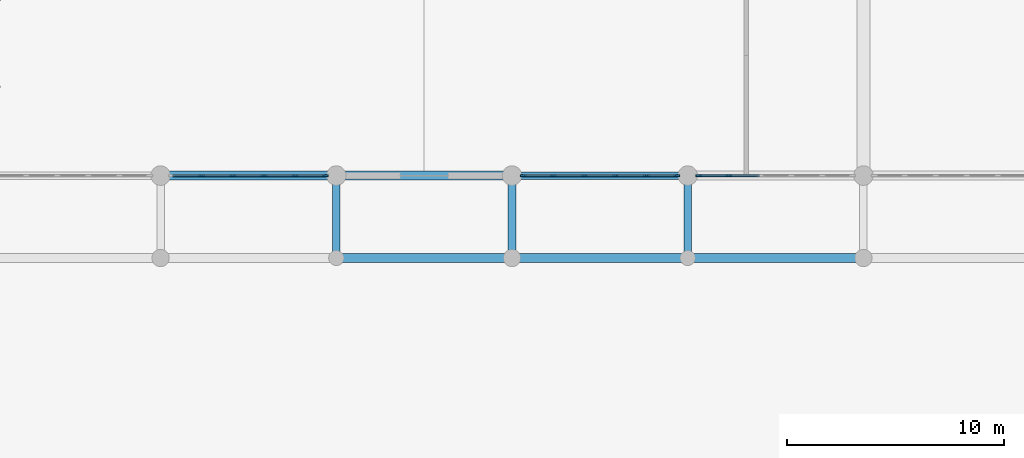
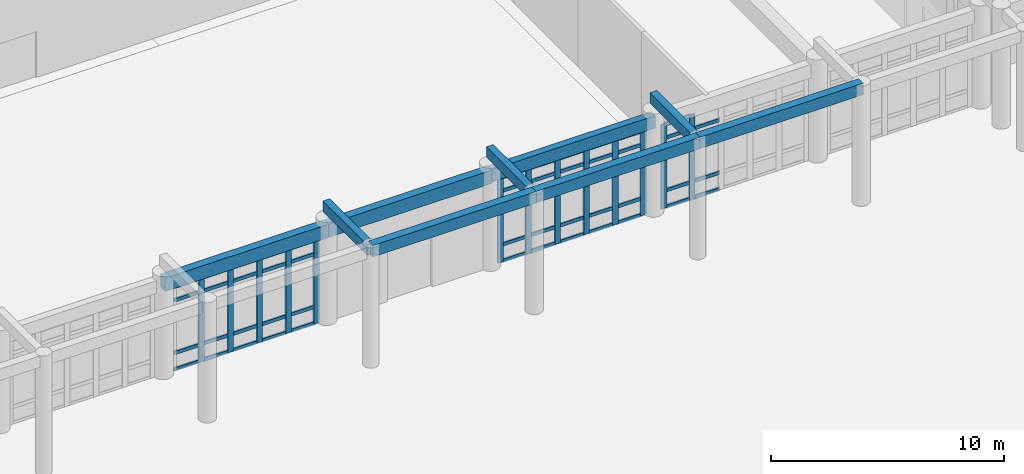
# One storey, part 8 of 62: 60 members, 9 beams, 3 elements without a shape of their own.
"""IFC4 building model written with IfcOpenShell, lengths in metres."""

from ifc_helpers import new_model, si_unit, direction, frame, origin, origin_2d, place, context, subcontext, project, spatial, rectangle, extrude, material, material_profile, profile_set, type_object, element, aggregate, save


model = new_model("IFC4")

# Units and contexts
model_context = context("Model", 3, precision=1e-05, world=origin(), true_north=direction((0.0, 1.0)))
body_context = subcontext(model_context, "Body", "Model", "MODEL_VIEW")
ifc_project = project(units=[si_unit("LENGTHUNIT", "METRE"), si_unit("AREAUNIT", "SQUARE_METRE"), si_unit("VOLUMEUNIT", "CUBIC_METRE"), si_unit("PLANEANGLEUNIT", "RADIAN"), si_unit("MASSUNIT", "GRAM", prefix="KILO")], contexts=[model_context])

# Site, building, storey
site_placement = place(None, origin())
site = spatial("IfcSite", under=ifc_project, at=site_placement, CompositionType="ELEMENT")
building_placement = place(site_placement, origin())
building = spatial("IfcBuilding", under=site, at=building_placement, Name="Tarnveldt Square Police Headquarters", CompositionType="ELEMENT")
storey_placement = place(building_placement, origin())
storey = spatial("IfcBuildingStorey", under=building, at=storey_placement, Name="L00", CompositionType="ELEMENT", Elevation=0.0)

# Beams
ifc_material_1 = material(Name="Concrete 40 MPa", Category="concrete")
ifc_material_profile_1 = material_profile(ifc_material_1, rectangle(XDim=0.35009765625, YDim=0.550048828125, at=origin_2d()), Name="RC-B350x550")
ifc_profile_set_1 = profile_set([ifc_material_profile_1], Name="Concrete 40 MPa")
beam_type_1 = type_object("IfcBeamType", Name="BM-RC350x550", PredefinedType="BEAM", material=ifc_profile_set_1)
for number, where, z_axis, x_axis, name in (
    (1, (89.10009765625, 18.199951171875, 6.0), (0.0, 1.0, 0.0), (-1.0, 0.0, 0.0), "Colonnade Tie Beam MH-11"),
    (2, (97.199951171875, 18.199951171875, 6.0), (0.0, 1.0, 0.0), (-1.0, 0.0, 0.0), "Colonnade Tie Beam MH-12"),
    (3, (105.300048828125, 18.199951171875, 6.0), (0.0, 1.0, 0.0), (-1.0, 0.0, 0.0), "Colonnade Tie Beam MH-13"),
):
    element("IfcBeam", number, at=place(storey_placement, frame(where, z_axis=z_axis, x_axis=x_axis)), inside=storey, type_object=beam_type_1, Name=name, PredefinedType="BEAM", context=body_context, shape_type="SweptSolid", body=[
        extrude(rectangle(XDim=0.35009765625, YDim=0.550048828125, at=origin_2d()), origin(), (0.0, 0.0, 1.0), 3.800048828125),
    ])
ifc_material_profile_2 = material_profile(ifc_material_1, rectangle(XDim=0.39990234375, YDim=0.60009765625, at=origin_2d()), Name="RC-B400x600")
ifc_profile_set_2 = profile_set([ifc_material_profile_2], Name="Concrete 40 MPa")
beam_type_2 = type_object("IfcBeamType", Name="BM-RC400x600", PredefinedType="BEAM", material=ifc_profile_set_2)
beam_1_placement = place(storey_placement, frame((89.10009765625, 18.199951171875, 6.0), z_axis=(1.0, 0.0, 0.0), x_axis=(0.0, 1.0, 0.0)))
element("IfcBeam", 4, at=beam_1_placement, inside=storey, type_object=beam_type_2, Name="Colonnade Header Beam MH-11", PredefinedType="BEAM", context=body_context, shape_type="SweptSolid", body=[
    extrude(rectangle(XDim=0.39990234375, YDim=0.60009765625, at=origin_2d()), origin(), (0.0, 0.0, 1.0), 8.099853515625),
])
beam_2_placement = place(storey_placement, frame((97.199951171875, 18.199951171875, 6.0), z_axis=(1.0, 0.0, 0.0), x_axis=(0.0, 1.0, 0.0)))
element("IfcBeam", 5, at=beam_2_placement, inside=storey, type_object=beam_type_2, Name="Colonnade Header Beam MH-12", PredefinedType="BEAM", context=body_context, shape_type="SweptSolid", body=[
    extrude(rectangle(XDim=0.39990234375, YDim=0.60009765625, at=origin_2d()), origin(), (0.0, 0.0, 1.0), 8.10009765625),
])
beam_3_placement = place(storey_placement, frame((105.300048828125, 18.199951171875, 6.0), z_axis=(1.0, 0.0, 0.0), x_axis=(0.0, 1.0, 0.0)))
element("IfcBeam", 6, at=beam_3_placement, inside=storey, type_object=beam_type_2, Name="Colonnade Header Beam MH-13", PredefinedType="BEAM", context=body_context, shape_type="SweptSolid", body=[
    extrude(rectangle(XDim=0.39990234375, YDim=0.60009765625, at=origin_2d()), origin(), (0.0, 0.0, 1.0), 8.099853515625),
])
ifc_material_profile_3 = material_profile(ifc_material_1, rectangle(XDim=0.39990234375, YDim=0.699951171875, at=origin_2d()), Name="RC-B400x700")
ifc_profile_set_3 = profile_set([ifc_material_profile_3], Name="Concrete 40 MPa")
beam_type_3 = type_object("IfcBeamType", Name="BM-RC400x700", PredefinedType="BEAM", material=ifc_profile_set_3)
beam_4_placement = place(storey_placement, frame((81.0, 22.0, 4.77001953125), z_axis=(1.0, 0.0, 0.0), x_axis=(0.0, 1.0, 0.0)))
element("IfcBeam", 7, at=beam_4_placement, inside=storey, type_object=beam_type_3, Name="L01 Grid Girder X-0239", PredefinedType="BEAM", context=body_context, shape_type="SweptSolid", body=[
    extrude(rectangle(XDim=0.39990234375, YDim=0.699951171875, at=origin_2d()), origin(), (0.0, 0.0, 1.0), 8.10009765625),
])
beam_5_placement = place(storey_placement, frame((89.10009765625, 22.0, 4.77001953125), z_axis=(1.0, 0.0, 0.0), x_axis=(0.0, 1.0, 0.0)))
element("IfcBeam", 8, at=beam_5_placement, inside=storey, type_object=beam_type_3, Name="L01 Grid Girder X-0240", PredefinedType="BEAM", context=body_context, shape_type="SweptSolid", body=[
    extrude(rectangle(XDim=0.39990234375, YDim=0.699951171875, at=origin_2d()), origin(), (0.0, 0.0, 1.0), 8.099853515625),
])
ifc_material_profile_4 = material_profile(ifc_material_1, rectangle(XDim=0.35009765625, YDim=0.64990234375, at=origin_2d()), Name="RC-SP350x650")
ifc_profile_set_4 = profile_set([ifc_material_profile_4], Name="Concrete 40 MPa")
beam_type_4 = type_object("IfcBeamType", Name="BM-SP350x650", PredefinedType="SPANDREL", material=ifc_profile_set_4)
beam_6_placement = place(storey_placement, frame((97.199951171875, 22.0, 4.794921875), z_axis=(1.0, 0.0, 0.0), x_axis=(0.0, 1.0, 0.0)))
element("IfcBeam", 9, at=beam_6_placement, inside=storey, type_object=beam_type_4, Name="L01 Grid Girder X-0241", PredefinedType="SPANDREL", context=body_context, shape_type="SweptSolid", body=[
    extrude(rectangle(XDim=0.35009765625, YDim=0.64990234375, at=origin_2d()), origin(), (0.0, 0.0, 1.0), 8.10009765625),
])

# Curtain wall, members
ifc_material_2 = material(Name="Triple-glazed low-e laminated vision glass", Category="glass")
curtain_wall_type_1 = type_object("IfcCurtainWallType", Name="CW-EH-717x441", PredefinedType="USERDEFINED", material=ifc_material_2)
curtain_wall_1_placement = place(storey_placement, origin())
curtain_wall_1 = element("IfcCurtainWall", 10, at=curtain_wall_1_placement, inside=storey, type_object=curtain_wall_type_1, Name="L00 Curtain Wall CW-L00-003", ObjectType="GLAZED CURTAIN WALL", PredefinedType="USERDEFINED")
ifc_material_3 = material(Name="Thermally broken anodised aluminium 6063-T6", Category="aluminium")
ifc_material_profile_5 = material_profile(ifc_material_3, rectangle(XDim=0.090087890625, YDim=0.280029296875, at=origin_2d()), Name="CW-M90x280")
ifc_profile_set_5 = profile_set([ifc_material_profile_5], Name="Thermally broken anodised aluminium 6063-T6")
member_type_1 = type_object("IfcMemberType", Name="CWM-90x280", PredefinedType="MULLION", material=ifc_profile_set_5)
member_1_placement = place(storey_placement, frame((82.89892578125, 22.0, 0.0), z_axis=(0.0, 0.0, 1.0), x_axis=(0.0, 1.0, 0.0)))
member_1 = element("IfcMember", 11, at=member_1_placement, type_object=member_type_1, Name="CW-EH03 mullion 2", PredefinedType="MULLION", context=body_context, shape_type="SweptSolid", body=[
    extrude(rectangle(XDim=0.090087890625, YDim=0.280029296875, at=origin_2d()), origin(), (0.0, 0.0, 1.0), 4.412109375),
])
member_2_placement = place(storey_placement, frame((84.3330078125, 22.0, 0.0), z_axis=(0.0, 0.0, 1.0), x_axis=(0.0, 1.0, 0.0)))
member_2 = element("IfcMember", 12, at=member_2_placement, type_object=member_type_1, Name="CW-EH03 mullion 3", PredefinedType="MULLION", context=body_context, shape_type="SweptSolid", body=[
    extrude(rectangle(XDim=0.090087890625, YDim=0.280029296875, at=origin_2d()), origin(), (0.0, 0.0, 1.0), 4.412109375),
])
member_3_placement = place(storey_placement, frame((85.76708984375, 22.0, 0.0), z_axis=(0.0, 0.0, 1.0), x_axis=(0.0, 1.0, 0.0)))
member_3 = element("IfcMember", 13, at=member_3_placement, type_object=member_type_1, Name="CW-EH03 mullion 4", PredefinedType="MULLION", context=body_context, shape_type="SweptSolid", body=[
    extrude(rectangle(XDim=0.090087890625, YDim=0.280029296875, at=origin_2d()), origin(), (0.0, 0.0, 1.0), 4.412109375),
])
member_4_placement = place(storey_placement, frame((87.200927734375, 22.0, 0.0), z_axis=(0.0, 0.0, 1.0), x_axis=(0.0, 1.0, 0.0)))
member_4 = element("IfcMember", 14, at=member_4_placement, type_object=member_type_1, Name="CW-EH03 mullion 5", PredefinedType="MULLION", context=body_context, shape_type="SweptSolid", body=[
    extrude(rectangle(XDim=0.090087890625, YDim=0.280029296875, at=origin_2d()), origin(), (0.0, 0.0, 1.0), 4.412109375),
])
member_5_placement = place(storey_placement, frame((88.590087890625, 22.0, 0.0), z_axis=(0.0, 0.0, 1.0), x_axis=(0.0, 1.0, 0.0)))
member_5 = element("IfcMember", 15, at=member_5_placement, type_object=member_type_1, Name="CW-EH03 mullion 6", PredefinedType="MULLION", context=body_context, shape_type="SweptSolid", body=[
    extrude(rectangle(XDim=0.090087890625, YDim=0.280029296875, at=origin_2d()), origin(), (0.0, 0.0, 1.0), 4.412109375),
])

curtain_wall_type_2 = type_object("IfcCurtainWallType", Name="CW-EH-717x446", PredefinedType="USERDEFINED", material=ifc_material_2)
curtain_wall_2_placement = place(storey_placement, origin())
curtain_wall_2 = element("IfcCurtainWall", 16, at=curtain_wall_2_placement, inside=storey, type_object=curtain_wall_type_2, Name="L00 Curtain Wall CW-L00-004", ObjectType="GLAZED CURTAIN WALL", PredefinedType="USERDEFINED")
member_6_placement = place(storey_placement, frame((97.7099609375, 22.0, 0.0), z_axis=(0.0, 0.0, 1.0), x_axis=(0.0, 1.0, 0.0)))
member_6 = element("IfcMember", 17, at=member_6_placement, type_object=member_type_1, Name="CW-EH02 mullion 1", PredefinedType="MULLION", context=body_context, shape_type="SweptSolid", body=[
    extrude(rectangle(XDim=0.090087890625, YDim=0.280029296875, at=origin_2d()), origin(), (0.0, 0.0, 1.0), 4.4619140625),
])
member_7_placement = place(storey_placement, frame((99.09912109375, 22.0, 0.0), z_axis=(0.0, 0.0, 1.0), x_axis=(0.0, 1.0, 0.0)))
member_7 = element("IfcMember", 18, at=member_7_placement, type_object=member_type_1, Name="CW-EH02 mullion 2", PredefinedType="MULLION", context=body_context, shape_type="SweptSolid", body=[
    extrude(rectangle(XDim=0.090087890625, YDim=0.280029296875, at=origin_2d()), origin(), (0.0, 0.0, 1.0), 4.4619140625),
])
member_8_placement = place(storey_placement, frame((100.532958984375, 22.0, 0.0), z_axis=(0.0, 0.0, 1.0), x_axis=(0.0, 1.0, 0.0)))
member_8 = element("IfcMember", 19, at=member_8_placement, type_object=member_type_1, Name="CW-EH02 mullion 3", PredefinedType="MULLION", context=body_context, shape_type="SweptSolid", body=[
    extrude(rectangle(XDim=0.090087890625, YDim=0.280029296875, at=origin_2d()), origin(), (0.0, 0.0, 1.0), 4.4619140625),
])
member_9_placement = place(storey_placement, frame((101.967041015625, 22.0, 0.0), z_axis=(0.0, 0.0, 1.0), x_axis=(0.0, 1.0, 0.0)))
member_9 = element("IfcMember", 20, at=member_9_placement, type_object=member_type_1, Name="CW-EH02 mullion 4", PredefinedType="MULLION", context=body_context, shape_type="SweptSolid", body=[
    extrude(rectangle(XDim=0.090087890625, YDim=0.280029296875, at=origin_2d()), origin(), (0.0, 0.0, 1.0), 4.4619140625),
])
member_10_placement = place(storey_placement, frame((103.40087890625, 22.0, 0.0), z_axis=(0.0, 0.0, 1.0), x_axis=(0.0, 1.0, 0.0)))
member_10 = element("IfcMember", 21, at=member_10_placement, type_object=member_type_1, Name="CW-EH02 mullion 5", PredefinedType="MULLION", context=body_context, shape_type="SweptSolid", body=[
    extrude(rectangle(XDim=0.090087890625, YDim=0.280029296875, at=origin_2d()), origin(), (0.0, 0.0, 1.0), 4.4619140625),
])
member_11_placement = place(storey_placement, frame((104.7900390625, 22.0, 0.0), z_axis=(0.0, 0.0, 1.0), x_axis=(0.0, 1.0, 0.0)))
member_11 = element("IfcMember", 22, at=member_11_placement, type_object=member_type_1, Name="CW-EH02 mullion 6", PredefinedType="MULLION", context=body_context, shape_type="SweptSolid", body=[
    extrude(rectangle(XDim=0.090087890625, YDim=0.280029296875, at=origin_2d()), origin(), (0.0, 0.0, 1.0), 4.4619140625),
])

curtain_wall_3_placement = place(storey_placement, origin())
curtain_wall_3 = element("IfcCurtainWall", 23, at=curtain_wall_3_placement, inside=storey, type_object=curtain_wall_type_1, Name="L00 Curtain Wall CW-L00-005", ObjectType="GLAZED CURTAIN WALL", PredefinedType="USERDEFINED")
member_12_placement = place(storey_placement, frame((105.81005859375, 22.0, 0.0), z_axis=(0.0, 0.0, 1.0), x_axis=(0.0, 1.0, 0.0)))
member_12 = element("IfcMember", 24, at=member_12_placement, type_object=member_type_1, Name="CW-EH03 mullion 1", PredefinedType="MULLION", context=body_context, shape_type="SweptSolid", body=[
    extrude(rectangle(XDim=0.090087890625, YDim=0.280029296875, at=origin_2d()), origin(), (0.0, 0.0, 1.0), 4.412109375),
])
member_13_placement = place(storey_placement, frame((107.198974609375, 22.0, 0.0), z_axis=(0.0, 0.0, 1.0), x_axis=(0.0, 1.0, 0.0)))
member_13 = element("IfcMember", 25, at=member_13_placement, type_object=member_type_1, Name="CW-EH03 mullion 2", PredefinedType="MULLION", context=body_context, shape_type="SweptSolid", body=[
    extrude(rectangle(XDim=0.090087890625, YDim=0.280029296875, at=origin_2d()), origin(), (0.0, 0.0, 1.0), 4.412109375),
])

# Member
ifc_material_profile_6 = material_profile(ifc_material_3, rectangle(XDim=0.0849609375, YDim=0.179931640625, at=origin_2d()), Name="CW-T85x180")
ifc_profile_set_6 = profile_set([ifc_material_profile_6], Name="Thermally broken anodised aluminium 6063-T6")
member_type_2 = type_object("IfcMemberType", Name="CWT-85x180", PredefinedType="USERDEFINED", material=ifc_profile_set_6)
member_14_placement = place(storey_placement, frame((81.554931640625, 22.0, 0.04248046875), z_axis=(1.0, 0.0, 0.0), x_axis=(0.0, 1.0, 0.0)))
member_14 = element("IfcMember", 26, at=member_14_placement, type_object=member_type_2, Name="CW-EH03 transom 1.1", ObjectType="TRANSOM", PredefinedType="USERDEFINED", context=body_context, shape_type="SweptSolid", body=[
    extrude(rectangle(XDim=0.0849609375, YDim=0.179931640625, at=origin_2d()), origin(), (0.0, 0.0, 1.0), 1.299072265625),
])

member_15_placement = place(storey_placement, frame((81.554931640625, 22.0, 0.89990234375), z_axis=(1.0, 0.0, 0.0), x_axis=(0.0, 1.0, 0.0)))
member_15 = element("IfcMember", 27, at=member_15_placement, type_object=member_type_2, Name="CW-EH03 transom 1.2", ObjectType="TRANSOM", PredefinedType="USERDEFINED", context=body_context, shape_type="SweptSolid", body=[
    extrude(rectangle(XDim=0.0849609375, YDim=0.179931640625, at=origin_2d()), origin(), (0.0, 0.0, 1.0), 1.299072265625),
])

member_16_placement = place(storey_placement, frame((81.554931640625, 22.0, 3.662109375), z_axis=(1.0, 0.0, 0.0), x_axis=(0.0, 1.0, 0.0)))
member_16 = element("IfcMember", 28, at=member_16_placement, type_object=member_type_2, Name="CW-EH03 transom 1.3", ObjectType="TRANSOM", PredefinedType="USERDEFINED", context=body_context, shape_type="SweptSolid", body=[
    extrude(rectangle(XDim=0.0849609375, YDim=0.179931640625, at=origin_2d()), origin(), (0.0, 0.0, 1.0), 1.299072265625),
])

member_17_placement = place(storey_placement, frame((81.554931640625, 22.0, 4.369384765625), z_axis=(1.0, 0.0, 0.0), x_axis=(0.0, 1.0, 0.0)))
member_17 = element("IfcMember", 29, at=member_17_placement, type_object=member_type_2, Name="CW-EH03 transom 1.4", ObjectType="TRANSOM", PredefinedType="USERDEFINED", context=body_context, shape_type="SweptSolid", body=[
    extrude(rectangle(XDim=0.0849609375, YDim=0.179931640625, at=origin_2d()), origin(), (0.0, 0.0, 1.0), 1.299072265625),
])

member_18_placement = place(storey_placement, frame((82.944091796875, 22.0, 0.04248046875), z_axis=(1.0, 0.0, 0.0), x_axis=(0.0, 1.0, 0.0)))
member_18 = element("IfcMember", 30, at=member_18_placement, type_object=member_type_2, Name="CW-EH03 transom 2.1", ObjectType="TRANSOM", PredefinedType="USERDEFINED", context=body_context, shape_type="SweptSolid", body=[
    extrude(rectangle(XDim=0.0849609375, YDim=0.179931640625, at=origin_2d()), origin(), (0.0, 0.0, 1.0), 1.343994140625),
])

member_19_placement = place(storey_placement, frame((82.944091796875, 22.0, 0.89990234375), z_axis=(1.0, 0.0, 0.0), x_axis=(0.0, 1.0, 0.0)))
member_19 = element("IfcMember", 31, at=member_19_placement, type_object=member_type_2, Name="CW-EH03 transom 2.2", ObjectType="TRANSOM", PredefinedType="USERDEFINED", context=body_context, shape_type="SweptSolid", body=[
    extrude(rectangle(XDim=0.0849609375, YDim=0.179931640625, at=origin_2d()), origin(), (0.0, 0.0, 1.0), 1.343994140625),
])

member_20_placement = place(storey_placement, frame((82.944091796875, 22.0, 3.662109375), z_axis=(1.0, 0.0, 0.0), x_axis=(0.0, 1.0, 0.0)))
member_20 = element("IfcMember", 32, at=member_20_placement, type_object=member_type_2, Name="CW-EH03 transom 2.3", ObjectType="TRANSOM", PredefinedType="USERDEFINED", context=body_context, shape_type="SweptSolid", body=[
    extrude(rectangle(XDim=0.0849609375, YDim=0.179931640625, at=origin_2d()), origin(), (0.0, 0.0, 1.0), 1.343994140625),
])

member_21_placement = place(storey_placement, frame((82.944091796875, 22.0, 4.369384765625), z_axis=(1.0, 0.0, 0.0), x_axis=(0.0, 1.0, 0.0)))
member_21 = element("IfcMember", 33, at=member_21_placement, type_object=member_type_2, Name="CW-EH03 transom 2.4", ObjectType="TRANSOM", PredefinedType="USERDEFINED", context=body_context, shape_type="SweptSolid", body=[
    extrude(rectangle(XDim=0.0849609375, YDim=0.179931640625, at=origin_2d()), origin(), (0.0, 0.0, 1.0), 1.343994140625),
])

member_22_placement = place(storey_placement, frame((84.3779296875, 22.0, 0.04248046875), z_axis=(1.0, 0.0, 0.0), x_axis=(0.0, 1.0, 0.0)))
member_22 = element("IfcMember", 34, at=member_22_placement, type_object=member_type_2, Name="CW-EH03 transom 3.1", ObjectType="TRANSOM", PredefinedType="USERDEFINED", context=body_context, shape_type="SweptSolid", body=[
    extrude(rectangle(XDim=0.0849609375, YDim=0.179931640625, at=origin_2d()), origin(), (0.0, 0.0, 1.0), 1.343994140625),
])

member_23_placement = place(storey_placement, frame((84.3779296875, 22.0, 0.89990234375), z_axis=(1.0, 0.0, 0.0), x_axis=(0.0, 1.0, 0.0)))
member_23 = element("IfcMember", 35, at=member_23_placement, type_object=member_type_2, Name="CW-EH03 transom 3.2", ObjectType="TRANSOM", PredefinedType="USERDEFINED", context=body_context, shape_type="SweptSolid", body=[
    extrude(rectangle(XDim=0.0849609375, YDim=0.179931640625, at=origin_2d()), origin(), (0.0, 0.0, 1.0), 1.343994140625),
])

member_24_placement = place(storey_placement, frame((84.3779296875, 22.0, 3.662109375), z_axis=(1.0, 0.0, 0.0), x_axis=(0.0, 1.0, 0.0)))
member_24 = element("IfcMember", 36, at=member_24_placement, type_object=member_type_2, Name="CW-EH03 transom 3.3", ObjectType="TRANSOM", PredefinedType="USERDEFINED", context=body_context, shape_type="SweptSolid", body=[
    extrude(rectangle(XDim=0.0849609375, YDim=0.179931640625, at=origin_2d()), origin(), (0.0, 0.0, 1.0), 1.343994140625),
])

member_25_placement = place(storey_placement, frame((84.3779296875, 22.0, 4.369384765625), z_axis=(1.0, 0.0, 0.0), x_axis=(0.0, 1.0, 0.0)))
member_25 = element("IfcMember", 37, at=member_25_placement, type_object=member_type_2, Name="CW-EH03 transom 3.4", ObjectType="TRANSOM", PredefinedType="USERDEFINED", context=body_context, shape_type="SweptSolid", body=[
    extrude(rectangle(XDim=0.0849609375, YDim=0.179931640625, at=origin_2d()), origin(), (0.0, 0.0, 1.0), 1.343994140625),
])

member_26_placement = place(storey_placement, frame((85.81201171875, 22.0, 0.04248046875), z_axis=(1.0, 0.0, 0.0), x_axis=(0.0, 1.0, 0.0)))
member_26 = element("IfcMember", 38, at=member_26_placement, type_object=member_type_2, Name="CW-EH03 transom 4.1", ObjectType="TRANSOM", PredefinedType="USERDEFINED", context=body_context, shape_type="SweptSolid", body=[
    extrude(rectangle(XDim=0.0849609375, YDim=0.179931640625, at=origin_2d()), origin(), (0.0, 0.0, 1.0), 1.343994140625),
])

member_27_placement = place(storey_placement, frame((85.81201171875, 22.0, 0.89990234375), z_axis=(1.0, 0.0, 0.0), x_axis=(0.0, 1.0, 0.0)))
member_27 = element("IfcMember", 39, at=member_27_placement, type_object=member_type_2, Name="CW-EH03 transom 4.2", ObjectType="TRANSOM", PredefinedType="USERDEFINED", context=body_context, shape_type="SweptSolid", body=[
    extrude(rectangle(XDim=0.0849609375, YDim=0.179931640625, at=origin_2d()), origin(), (0.0, 0.0, 1.0), 1.343994140625),
])

member_28_placement = place(storey_placement, frame((85.81201171875, 22.0, 3.662109375), z_axis=(1.0, 0.0, 0.0), x_axis=(0.0, 1.0, 0.0)))
member_28 = element("IfcMember", 40, at=member_28_placement, type_object=member_type_2, Name="CW-EH03 transom 4.3", ObjectType="TRANSOM", PredefinedType="USERDEFINED", context=body_context, shape_type="SweptSolid", body=[
    extrude(rectangle(XDim=0.0849609375, YDim=0.179931640625, at=origin_2d()), origin(), (0.0, 0.0, 1.0), 1.343994140625),
])

member_29_placement = place(storey_placement, frame((85.81201171875, 22.0, 4.369384765625), z_axis=(1.0, 0.0, 0.0), x_axis=(0.0, 1.0, 0.0)))
member_29 = element("IfcMember", 41, at=member_29_placement, type_object=member_type_2, Name="CW-EH03 transom 4.4", ObjectType="TRANSOM", PredefinedType="USERDEFINED", context=body_context, shape_type="SweptSolid", body=[
    extrude(rectangle(XDim=0.0849609375, YDim=0.179931640625, at=origin_2d()), origin(), (0.0, 0.0, 1.0), 1.343994140625),
])

member_30_placement = place(storey_placement, frame((87.24609375, 22.0, 0.04248046875), z_axis=(1.0, 0.0, 0.0), x_axis=(0.0, 1.0, 0.0)))
member_30 = element("IfcMember", 42, at=member_30_placement, type_object=member_type_2, Name="CW-EH03 transom 5.1", ObjectType="TRANSOM", PredefinedType="USERDEFINED", context=body_context, shape_type="SweptSolid", body=[
    extrude(rectangle(XDim=0.0849609375, YDim=0.179931640625, at=origin_2d()), origin(), (0.0, 0.0, 1.0), 1.298828125),
])

member_31_placement = place(storey_placement, frame((87.24609375, 22.0, 0.89990234375), z_axis=(1.0, 0.0, 0.0), x_axis=(0.0, 1.0, 0.0)))
member_31 = element("IfcMember", 43, at=member_31_placement, type_object=member_type_2, Name="CW-EH03 transom 5.2", ObjectType="TRANSOM", PredefinedType="USERDEFINED", context=body_context, shape_type="SweptSolid", body=[
    extrude(rectangle(XDim=0.0849609375, YDim=0.179931640625, at=origin_2d()), origin(), (0.0, 0.0, 1.0), 1.298828125),
])

member_32_placement = place(storey_placement, frame((87.24609375, 22.0, 3.662109375), z_axis=(1.0, 0.0, 0.0), x_axis=(0.0, 1.0, 0.0)))
member_32 = element("IfcMember", 44, at=member_32_placement, type_object=member_type_2, Name="CW-EH03 transom 5.3", ObjectType="TRANSOM", PredefinedType="USERDEFINED", context=body_context, shape_type="SweptSolid", body=[
    extrude(rectangle(XDim=0.0849609375, YDim=0.179931640625, at=origin_2d()), origin(), (0.0, 0.0, 1.0), 1.298828125),
])

member_33_placement = place(storey_placement, frame((87.24609375, 22.0, 4.369384765625), z_axis=(1.0, 0.0, 0.0), x_axis=(0.0, 1.0, 0.0)))
member_33 = element("IfcMember", 45, at=member_33_placement, type_object=member_type_2, Name="CW-EH03 transom 5.4", ObjectType="TRANSOM", PredefinedType="USERDEFINED", context=body_context, shape_type="SweptSolid", body=[
    extrude(rectangle(XDim=0.0849609375, YDim=0.179931640625, at=origin_2d()), origin(), (0.0, 0.0, 1.0), 1.298828125),
])

aggregate(curtain_wall_1, [member_1, member_2, member_3, member_4, member_5, member_14, member_15, member_16, member_17, member_18, member_19, member_20, member_21, member_22, member_23, member_24, member_25, member_26, member_27, member_28, member_29, member_30, member_31, member_32, member_33])

member_34_placement = place(storey_placement, frame((97.7548828125, 22.0, 0.04248046875), z_axis=(1.0, 0.0, 0.0), x_axis=(0.0, 1.0, 0.0)))
member_34 = element("IfcMember", 46, at=member_34_placement, type_object=member_type_2, Name="CW-EH02 transom 1.1", ObjectType="TRANSOM", PredefinedType="USERDEFINED", context=body_context, shape_type="SweptSolid", body=[
    extrude(rectangle(XDim=0.0849609375, YDim=0.179931640625, at=origin_2d()), origin(), (0.0, 0.0, 1.0), 1.299072265625),
])

member_35_placement = place(storey_placement, frame((97.7548828125, 22.0, 0.89990234375), z_axis=(1.0, 0.0, 0.0), x_axis=(0.0, 1.0, 0.0)))
member_35 = element("IfcMember", 47, at=member_35_placement, type_object=member_type_2, Name="CW-EH02 transom 1.2", ObjectType="TRANSOM", PredefinedType="USERDEFINED", context=body_context, shape_type="SweptSolid", body=[
    extrude(rectangle(XDim=0.0849609375, YDim=0.179931640625, at=origin_2d()), origin(), (0.0, 0.0, 1.0), 1.299072265625),
])

member_36_placement = place(storey_placement, frame((97.7548828125, 22.0, 3.7119140625), z_axis=(1.0, 0.0, 0.0), x_axis=(0.0, 1.0, 0.0)))
member_36 = element("IfcMember", 48, at=member_36_placement, type_object=member_type_2, Name="CW-EH02 transom 1.3", ObjectType="TRANSOM", PredefinedType="USERDEFINED", context=body_context, shape_type="SweptSolid", body=[
    extrude(rectangle(XDim=0.0849609375, YDim=0.179931640625, at=origin_2d()), origin(), (0.0, 0.0, 1.0), 1.299072265625),
])

member_37_placement = place(storey_placement, frame((97.7548828125, 22.0, 4.41943359375), z_axis=(1.0, 0.0, 0.0), x_axis=(0.0, 1.0, 0.0)))
member_37 = element("IfcMember", 49, at=member_37_placement, type_object=member_type_2, Name="CW-EH02 transom 1.4", ObjectType="TRANSOM", PredefinedType="USERDEFINED", context=body_context, shape_type="SweptSolid", body=[
    extrude(rectangle(XDim=0.0849609375, YDim=0.179931640625, at=origin_2d()), origin(), (0.0, 0.0, 1.0), 1.299072265625),
])

member_38_placement = place(storey_placement, frame((99.14404296875, 22.0, 0.04248046875), z_axis=(1.0, 0.0, 0.0), x_axis=(0.0, 1.0, 0.0)))
member_38 = element("IfcMember", 50, at=member_38_placement, type_object=member_type_2, Name="CW-EH02 transom 2.1", ObjectType="TRANSOM", PredefinedType="USERDEFINED", context=body_context, shape_type="SweptSolid", body=[
    extrude(rectangle(XDim=0.0849609375, YDim=0.179931640625, at=origin_2d()), origin(), (0.0, 0.0, 1.0), 1.343994140625),
])

member_39_placement = place(storey_placement, frame((99.14404296875, 22.0, 0.89990234375), z_axis=(1.0, 0.0, 0.0), x_axis=(0.0, 1.0, 0.0)))
member_39 = element("IfcMember", 51, at=member_39_placement, type_object=member_type_2, Name="CW-EH02 transom 2.2", ObjectType="TRANSOM", PredefinedType="USERDEFINED", context=body_context, shape_type="SweptSolid", body=[
    extrude(rectangle(XDim=0.0849609375, YDim=0.179931640625, at=origin_2d()), origin(), (0.0, 0.0, 1.0), 1.343994140625),
])

member_40_placement = place(storey_placement, frame((99.14404296875, 22.0, 3.7119140625), z_axis=(1.0, 0.0, 0.0), x_axis=(0.0, 1.0, 0.0)))
member_40 = element("IfcMember", 52, at=member_40_placement, type_object=member_type_2, Name="CW-EH02 transom 2.3", ObjectType="TRANSOM", PredefinedType="USERDEFINED", context=body_context, shape_type="SweptSolid", body=[
    extrude(rectangle(XDim=0.0849609375, YDim=0.179931640625, at=origin_2d()), origin(), (0.0, 0.0, 1.0), 1.343994140625),
])

member_41_placement = place(storey_placement, frame((99.14404296875, 22.0, 4.41943359375), z_axis=(1.0, 0.0, 0.0), x_axis=(0.0, 1.0, 0.0)))
member_41 = element("IfcMember", 53, at=member_41_placement, type_object=member_type_2, Name="CW-EH02 transom 2.4", ObjectType="TRANSOM", PredefinedType="USERDEFINED", context=body_context, shape_type="SweptSolid", body=[
    extrude(rectangle(XDim=0.0849609375, YDim=0.179931640625, at=origin_2d()), origin(), (0.0, 0.0, 1.0), 1.343994140625),
])

member_42_placement = place(storey_placement, frame((100.577880859375, 22.0, 0.04248046875), z_axis=(1.0, 0.0, 0.0), x_axis=(0.0, 1.0, 0.0)))
member_42 = element("IfcMember", 54, at=member_42_placement, type_object=member_type_2, Name="CW-EH02 transom 3.1", ObjectType="TRANSOM", PredefinedType="USERDEFINED", context=body_context, shape_type="SweptSolid", body=[
    extrude(rectangle(XDim=0.0849609375, YDim=0.179931640625, at=origin_2d()), origin(), (0.0, 0.0, 1.0), 1.34423828125),
])

member_43_placement = place(storey_placement, frame((100.577880859375, 22.0, 0.89990234375), z_axis=(1.0, 0.0, 0.0), x_axis=(0.0, 1.0, 0.0)))
member_43 = element("IfcMember", 55, at=member_43_placement, type_object=member_type_2, Name="CW-EH02 transom 3.2", ObjectType="TRANSOM", PredefinedType="USERDEFINED", context=body_context, shape_type="SweptSolid", body=[
    extrude(rectangle(XDim=0.0849609375, YDim=0.179931640625, at=origin_2d()), origin(), (0.0, 0.0, 1.0), 1.34423828125),
])

member_44_placement = place(storey_placement, frame((100.577880859375, 22.0, 3.7119140625), z_axis=(1.0, 0.0, 0.0), x_axis=(0.0, 1.0, 0.0)))
member_44 = element("IfcMember", 56, at=member_44_placement, type_object=member_type_2, Name="CW-EH02 transom 3.3", ObjectType="TRANSOM", PredefinedType="USERDEFINED", context=body_context, shape_type="SweptSolid", body=[
    extrude(rectangle(XDim=0.0849609375, YDim=0.179931640625, at=origin_2d()), origin(), (0.0, 0.0, 1.0), 1.34423828125),
])

member_45_placement = place(storey_placement, frame((100.577880859375, 22.0, 4.41943359375), z_axis=(1.0, 0.0, 0.0), x_axis=(0.0, 1.0, 0.0)))
member_45 = element("IfcMember", 57, at=member_45_placement, type_object=member_type_2, Name="CW-EH02 transom 3.4", ObjectType="TRANSOM", PredefinedType="USERDEFINED", context=body_context, shape_type="SweptSolid", body=[
    extrude(rectangle(XDim=0.0849609375, YDim=0.179931640625, at=origin_2d()), origin(), (0.0, 0.0, 1.0), 1.34423828125),
])

member_46_placement = place(storey_placement, frame((102.011962890625, 22.0, 0.04248046875), z_axis=(1.0, 0.0, 0.0), x_axis=(0.0, 1.0, 0.0)))
member_46 = element("IfcMember", 58, at=member_46_placement, type_object=member_type_2, Name="CW-EH02 transom 4.1", ObjectType="TRANSOM", PredefinedType="USERDEFINED", context=body_context, shape_type="SweptSolid", body=[
    extrude(rectangle(XDim=0.0849609375, YDim=0.179931640625, at=origin_2d()), origin(), (0.0, 0.0, 1.0), 1.343994140625),
])

member_47_placement = place(storey_placement, frame((102.011962890625, 22.0, 0.89990234375), z_axis=(1.0, 0.0, 0.0), x_axis=(0.0, 1.0, 0.0)))
member_47 = element("IfcMember", 59, at=member_47_placement, type_object=member_type_2, Name="CW-EH02 transom 4.2", ObjectType="TRANSOM", PredefinedType="USERDEFINED", context=body_context, shape_type="SweptSolid", body=[
    extrude(rectangle(XDim=0.0849609375, YDim=0.179931640625, at=origin_2d()), origin(), (0.0, 0.0, 1.0), 1.343994140625),
])

member_48_placement = place(storey_placement, frame((102.011962890625, 22.0, 3.7119140625), z_axis=(1.0, 0.0, 0.0), x_axis=(0.0, 1.0, 0.0)))
member_48 = element("IfcMember", 60, at=member_48_placement, type_object=member_type_2, Name="CW-EH02 transom 4.3", ObjectType="TRANSOM", PredefinedType="USERDEFINED", context=body_context, shape_type="SweptSolid", body=[
    extrude(rectangle(XDim=0.0849609375, YDim=0.179931640625, at=origin_2d()), origin(), (0.0, 0.0, 1.0), 1.343994140625),
])

member_49_placement = place(storey_placement, frame((102.011962890625, 22.0, 4.41943359375), z_axis=(1.0, 0.0, 0.0), x_axis=(0.0, 1.0, 0.0)))
member_49 = element("IfcMember", 61, at=member_49_placement, type_object=member_type_2, Name="CW-EH02 transom 4.4", ObjectType="TRANSOM", PredefinedType="USERDEFINED", context=body_context, shape_type="SweptSolid", body=[
    extrude(rectangle(XDim=0.0849609375, YDim=0.179931640625, at=origin_2d()), origin(), (0.0, 0.0, 1.0), 1.343994140625),
])

member_50_placement = place(storey_placement, frame((103.446044921875, 22.0, 0.04248046875), z_axis=(1.0, 0.0, 0.0), x_axis=(0.0, 1.0, 0.0)))
member_50 = element("IfcMember", 62, at=member_50_placement, type_object=member_type_2, Name="CW-EH02 transom 5.1", ObjectType="TRANSOM", PredefinedType="USERDEFINED", context=body_context, shape_type="SweptSolid", body=[
    extrude(rectangle(XDim=0.0849609375, YDim=0.179931640625, at=origin_2d()), origin(), (0.0, 0.0, 1.0), 1.299072265625),
])

member_51_placement = place(storey_placement, frame((103.446044921875, 22.0, 0.89990234375), z_axis=(1.0, 0.0, 0.0), x_axis=(0.0, 1.0, 0.0)))
member_51 = element("IfcMember", 63, at=member_51_placement, type_object=member_type_2, Name="CW-EH02 transom 5.2", ObjectType="TRANSOM", PredefinedType="USERDEFINED", context=body_context, shape_type="SweptSolid", body=[
    extrude(rectangle(XDim=0.0849609375, YDim=0.179931640625, at=origin_2d()), origin(), (0.0, 0.0, 1.0), 1.299072265625),
])

member_52_placement = place(storey_placement, frame((103.446044921875, 22.0, 3.7119140625), z_axis=(1.0, 0.0, 0.0), x_axis=(0.0, 1.0, 0.0)))
member_52 = element("IfcMember", 64, at=member_52_placement, type_object=member_type_2, Name="CW-EH02 transom 5.3", ObjectType="TRANSOM", PredefinedType="USERDEFINED", context=body_context, shape_type="SweptSolid", body=[
    extrude(rectangle(XDim=0.0849609375, YDim=0.179931640625, at=origin_2d()), origin(), (0.0, 0.0, 1.0), 1.299072265625),
])

member_53_placement = place(storey_placement, frame((103.446044921875, 22.0, 4.41943359375), z_axis=(1.0, 0.0, 0.0), x_axis=(0.0, 1.0, 0.0)))
member_53 = element("IfcMember", 65, at=member_53_placement, type_object=member_type_2, Name="CW-EH02 transom 5.4", ObjectType="TRANSOM", PredefinedType="USERDEFINED", context=body_context, shape_type="SweptSolid", body=[
    extrude(rectangle(XDim=0.0849609375, YDim=0.179931640625, at=origin_2d()), origin(), (0.0, 0.0, 1.0), 1.299072265625),
])

aggregate(curtain_wall_2, [member_6, member_7, member_8, member_9, member_10, member_11, member_34, member_35, member_36, member_37, member_38, member_39, member_40, member_41, member_42, member_43, member_44, member_45, member_46, member_47, member_48, member_49, member_50, member_51, member_52, member_53])

member_54_placement = place(storey_placement, frame((105.85498046875, 22.0, 0.04248046875), z_axis=(1.0, 0.0, 0.0), x_axis=(0.0, 1.0, 0.0)))
member_54 = element("IfcMember", 66, at=member_54_placement, type_object=member_type_2, Name="CW-EH03 transom 1.1", ObjectType="TRANSOM", PredefinedType="USERDEFINED", context=body_context, shape_type="SweptSolid", body=[
    extrude(rectangle(XDim=0.0849609375, YDim=0.179931640625, at=origin_2d()), origin(), (0.0, 0.0, 1.0), 1.299072265625),
])

member_55_placement = place(storey_placement, frame((105.85498046875, 22.0, 0.89990234375), z_axis=(1.0, 0.0, 0.0), x_axis=(0.0, 1.0, 0.0)))
member_55 = element("IfcMember", 67, at=member_55_placement, type_object=member_type_2, Name="CW-EH03 transom 1.2", ObjectType="TRANSOM", PredefinedType="USERDEFINED", context=body_context, shape_type="SweptSolid", body=[
    extrude(rectangle(XDim=0.0849609375, YDim=0.179931640625, at=origin_2d()), origin(), (0.0, 0.0, 1.0), 1.299072265625),
])

member_56_placement = place(storey_placement, frame((105.85498046875, 22.0, 3.662109375), z_axis=(1.0, 0.0, 0.0), x_axis=(0.0, 1.0, 0.0)))
member_56 = element("IfcMember", 68, at=member_56_placement, type_object=member_type_2, Name="CW-EH03 transom 1.3", ObjectType="TRANSOM", PredefinedType="USERDEFINED", context=body_context, shape_type="SweptSolid", body=[
    extrude(rectangle(XDim=0.0849609375, YDim=0.179931640625, at=origin_2d()), origin(), (0.0, 0.0, 1.0), 1.299072265625),
])

member_57_placement = place(storey_placement, frame((105.85498046875, 22.0, 4.369384765625), z_axis=(1.0, 0.0, 0.0), x_axis=(0.0, 1.0, 0.0)))
member_57 = element("IfcMember", 69, at=member_57_placement, type_object=member_type_2, Name="CW-EH03 transom 1.4", ObjectType="TRANSOM", PredefinedType="USERDEFINED", context=body_context, shape_type="SweptSolid", body=[
    extrude(rectangle(XDim=0.0849609375, YDim=0.179931640625, at=origin_2d()), origin(), (0.0, 0.0, 1.0), 1.299072265625),
])

member_58_placement = place(storey_placement, frame((107.243896484375, 22.0, 0.04248046875), z_axis=(1.0, 0.0, 0.0), x_axis=(0.0, 1.0, 0.0)))
member_58 = element("IfcMember", 70, at=member_58_placement, type_object=member_type_2, Name="CW-EH03 transom 2.1", ObjectType="TRANSOM", PredefinedType="USERDEFINED", context=body_context, shape_type="SweptSolid", body=[
    extrude(rectangle(XDim=0.0849609375, YDim=0.179931640625, at=origin_2d()), origin(), (0.0, 0.0, 1.0), 1.343994140625),
])

member_59_placement = place(storey_placement, frame((107.243896484375, 22.0, 0.89990234375), z_axis=(1.0, 0.0, 0.0), x_axis=(0.0, 1.0, 0.0)))
member_59 = element("IfcMember", 71, at=member_59_placement, type_object=member_type_2, Name="CW-EH03 transom 2.2", ObjectType="TRANSOM", PredefinedType="USERDEFINED", context=body_context, shape_type="SweptSolid", body=[
    extrude(rectangle(XDim=0.0849609375, YDim=0.179931640625, at=origin_2d()), origin(), (0.0, 0.0, 1.0), 1.343994140625),
])

member_60_placement = place(storey_placement, frame((107.243896484375, 22.0, 3.662109375), z_axis=(1.0, 0.0, 0.0), x_axis=(0.0, 1.0, 0.0)))
member_60 = element("IfcMember", 72, at=member_60_placement, type_object=member_type_2, Name="CW-EH03 transom 2.3", ObjectType="TRANSOM", PredefinedType="USERDEFINED", context=body_context, shape_type="SweptSolid", body=[
    extrude(rectangle(XDim=0.0849609375, YDim=0.179931640625, at=origin_2d()), origin(), (0.0, 0.0, 1.0), 1.343994140625),
])

aggregate(curtain_wall_3, [member_12, member_13, member_54, member_55, member_56, member_57, member_58, member_59, member_60])

save(model, "model.ifc")
